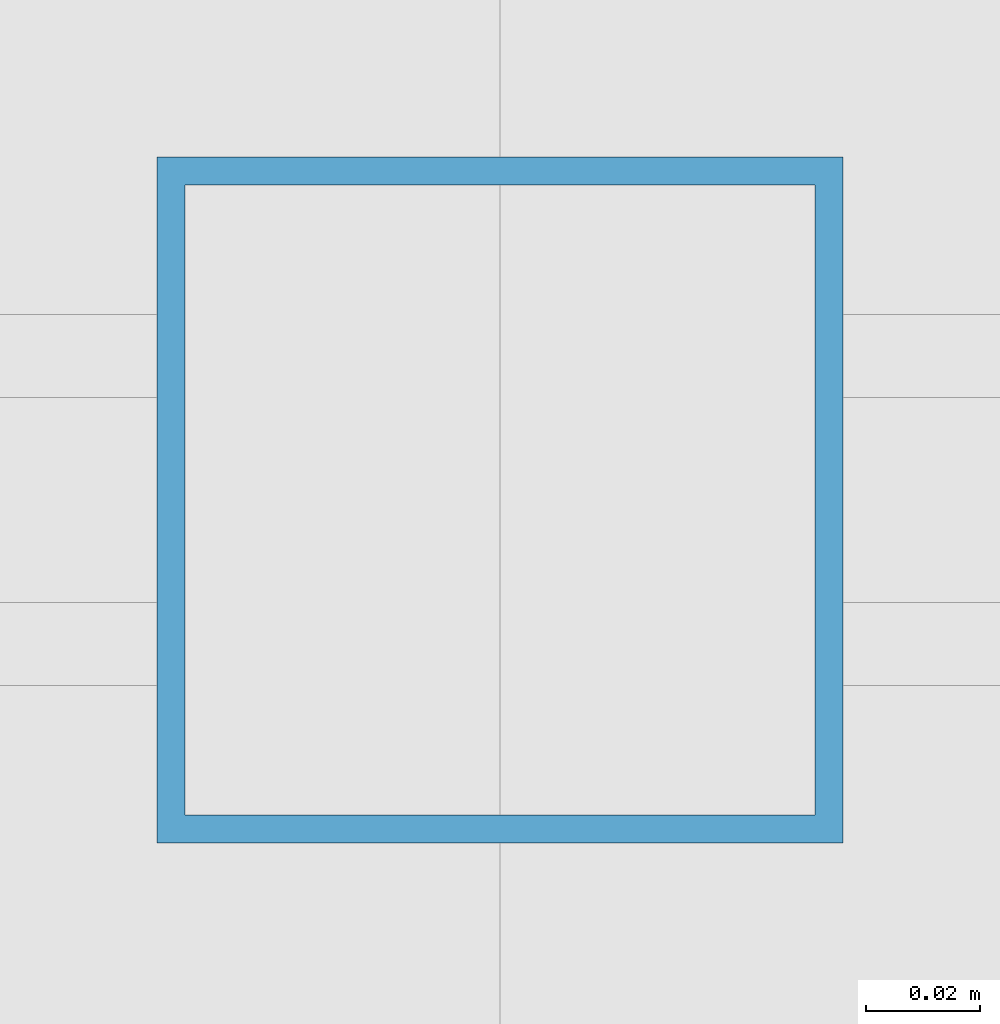
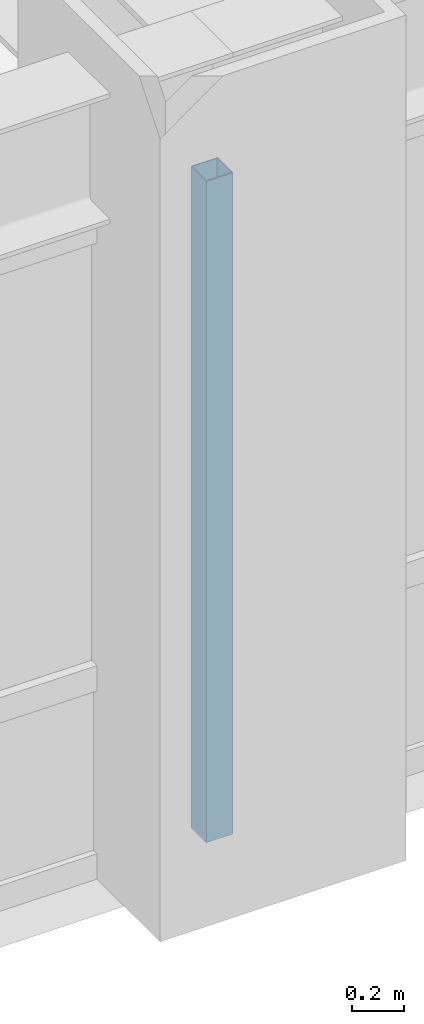
# One storey, part 4 of 24: 1 member, 1 element without a shape of its own.
"""IFC4 building model written with IfcOpenShell, lengths in metres."""

import ifcopenshell
import ifcopenshell.guid

model = None  # the IFC model being written
_history = None  # IfcOwnerHistory: only IFC2X3 demands one
_inside = {}  # id of a spatial element -> (the spatial element, [elements in it])
_under = {}  # id of a project, library or spatial element -> (it, [spatial elements below it])
_declared = {}  # id of a project -> (the project, [libraries it declares])
_typed = {}  # id of a type object -> (the type object, [elements of that type])
_made_of = {}  # id of a material, layer set ... -> (it, [elements and type objects made of it])


def new_model(schema):
    """Start an empty IFC model of exactly this schema.

    Asked for "IFC4X3", IfcOpenShell would pick the latest addendum, in which some entities
    have other attributes; the version numbers below select the first issue.
    IFC2X3 requires an IfcOwnerHistory on every rooted entity: one is made here for all.
    """
    global model, _history
    if schema == "IFC4X3":
        model = ifcopenshell.file(schema_version=(4, 3, 0, 0))
    else:
        model = ifcopenshell.file(schema=schema)
    _inside.clear()
    _under.clear()
    _declared.clear()
    _typed.clear()
    _made_of.clear()
    _history = None
    if model.schema == "IFC2X3":
        org = make("IfcOrganization", Name="unknown")
        user = make(
            "IfcPersonAndOrganization",
            ThePerson=make("IfcPerson", FamilyName="unknown"),
            TheOrganization=org,
        )
        app = make(
            "IfcApplication",
            ApplicationDeveloper=org,
            Version="unknown",
            ApplicationFullName="unknown",
            ApplicationIdentifier="unknown",
        )
        _history = make(
            "IfcOwnerHistory",
            OwningUser=user,
            OwningApplication=app,
            ChangeAction="ADDED",
            CreationDate=0,
        )
    return model


def make(cls, **values):
    """One entity of the class cls with the attributes given. An attribute that is None is left unset."""
    return model.create_entity(
        cls, **{name: value for name, value in values.items() if value is not None}
    )


def rooted(cls, **values):
    """An entity with a GlobalId (a new one), such as an element, a storey or a relation."""
    return make(cls, GlobalId=ifcopenshell.guid.new(), OwnerHistory=_history, **values)


def si_unit(unit_type, name, prefix=None):
    """IfcSIUnit, for example si_unit("LENGTHUNIT", "METRE", prefix="MILLI")."""
    return make("IfcSIUnit", UnitType=unit_type, Prefix=prefix, Name=name)


def assignment(units):
    """IfcUnitAssignment: the units of a project."""
    return None if units is None else make("IfcUnitAssignment", Units=units)


def point(xyz):
    """IfcCartesianPoint."""
    return None if xyz is None else make("IfcCartesianPoint", Coordinates=xyz)


def direction(xyz):
    """IfcDirection."""
    return None if xyz is None else make("IfcDirection", DirectionRatios=xyz)


def frame(location, z_axis=None, x_axis=None):
    """IfcAxis2Placement3D, a coordinate frame: its origin and axes. An axis left out is left unset."""
    return make(
        "IfcAxis2Placement3D",
        Location=point(location),
        Axis=direction(z_axis),
        RefDirection=direction(x_axis),
    )


def frame_2d(location, x_axis=None):
    """IfcAxis2Placement2D, a coordinate frame in the plane: its origin and x axis."""
    return make(
        "IfcAxis2Placement2D", Location=point(location), RefDirection=direction(x_axis)
    )


def origin():
    """The frame at (0, 0, 0) with its axes left unset."""
    return frame((0.0, 0.0, 0.0))


def origin_2d():
    """The frame at (0, 0) in the plane with its x axis left unset."""
    return frame_2d((0.0, 0.0))


def place(relative_to, where):
    """IfcLocalPlacement: puts the frame where relative to a parent placement (None: the world)."""
    return make(
        "IfcLocalPlacement", PlacementRelTo=relative_to, RelativePlacement=where
    )


def context(
    kind, dimensions, precision=None, world=None, true_north=None, identifier=None
):
    """IfcGeometricRepresentationContext, for example the 3D "Model" context."""
    return make(
        "IfcGeometricRepresentationContext",
        ContextIdentifier=identifier,
        ContextType=kind,
        CoordinateSpaceDimension=dimensions,
        Precision=precision,
        WorldCoordinateSystem=world,
        TrueNorth=true_north,
    )


def subcontext(parent, identifier, kind, view, scale=None):
    """IfcGeometricRepresentationSubContext, for example "Body" below "Model"."""
    return make(
        "IfcGeometricRepresentationSubContext",
        ContextIdentifier=identifier,
        ContextType=kind,
        ParentContext=parent,
        TargetScale=scale,
        TargetView=view,
    )


def project(units=None, contexts=None):
    """IfcProject with its units and contexts."""
    return rooted(
        "IfcProject",
        Name="project",
        RepresentationContexts=contexts,
        UnitsInContext=assignment(units),
    )


def spatial(cls, under=None, at=None, **own):
    """A site, building, storey or space (cls), placed at a placement, below another one or the project."""
    s = rooted(cls, ObjectPlacement=at, **own)
    if under is not None:
        _under.setdefault(under.id(), (under, []))[1].append(s)
    return s


def profile(cls, at=None, kind="AREA", **sizes):
    """A parametric profile (cls). Its sizes go by their IFC names, for example OverallWidth=200.0."""
    return make(cls, ProfileType=kind, Position=at, **sizes)


def hollow_rectangle(**sizes):
    """IfcRectangleHollowProfileDef."""
    return profile("IfcRectangleHollowProfileDef", **sizes)


def extrude(swept, where, along, depth):
    """IfcExtrudedAreaSolid: the profile swept, set in the frame where, extruded along a direction by depth."""
    return make(
        "IfcExtrudedAreaSolid",
        SweptArea=swept,
        Position=where,
        ExtrudedDirection=direction(along),
        Depth=depth,
    )


def shape(context_of_items, identifier, shape_type, items):
    """IfcShapeRepresentation: the items that make up one representation, for example the "Body"."""
    return make(
        "IfcShapeRepresentation",
        ContextOfItems=context_of_items,
        RepresentationIdentifier=identifier,
        RepresentationType=shape_type,
        Items=items,
    )


def source(mapping_origin, context_of_items, identifier, shape_type, items):
    """IfcRepresentationMap: a shape defined once, which mapped items show again and again."""
    return make(
        "IfcRepresentationMap",
        MappingOrigin=mapping_origin,
        MappedRepresentation=shape(context_of_items, identifier, shape_type, items),
    )


def transform(
    local_origin,
    x_axis=None,
    y_axis=None,
    z_axis=None,
    scale=None,
    scale2=None,
    scale3=None,
    uniform=True,
):
    """IfcCartesianTransformationOperator3D, or its non-uniform kind. x_axis, y_axis, z_axis: its Axis1, 2, 3."""
    if uniform:
        return make(
            "IfcCartesianTransformationOperator3D",
            Axis1=direction(x_axis),
            Axis2=direction(y_axis),
            LocalOrigin=point(local_origin),
            Scale=scale,
            Axis3=direction(z_axis),
        )
    return make(
        "IfcCartesianTransformationOperator3DnonUniform",
        Axis1=direction(x_axis),
        Axis2=direction(y_axis),
        LocalOrigin=point(local_origin),
        Scale=scale,
        Axis3=direction(z_axis),
        Scale2=scale2,
        Scale3=scale3,
    )


def mapped(mapping_source, mapping_target):
    """IfcMappedItem: shows the shape of a source again, moved by a transform."""
    return make(
        "IfcMappedItem", MappingSource=mapping_source, MappingTarget=mapping_target
    )


def material(Name=None, Category=None):
    """IfcMaterial."""
    return make("IfcMaterial", Name=Name, Category=Category)


def material_profile(
    of_material, cross_section, Name=None, Category=None, Priority=None
):
    """IfcMaterialProfile: a cross section and its material."""
    return make(
        "IfcMaterialProfile",
        Name=Name,
        Material=of_material,
        Profile=cross_section,
        Priority=Priority,
        Category=Category,
    )


def profile_set(profiles, Name=None, composite=None):
    """IfcMaterialProfileSet."""
    return make(
        "IfcMaterialProfileSet",
        Name=Name,
        MaterialProfiles=profiles,
        CompositeProfile=composite,
    )


def made_of(thing, what):
    """Note that an element or type object is made of a material, layer set ...; save() writes the relation."""
    if what is not None:
        _made_of.setdefault(what.id(), (what, []))[1].append(thing)
    return thing


def type_object(cls, material=None, **own):
    """A type object (cls), such as IfcWallType, which elements share."""
    return made_of(rooted(cls, **own), material)


def element(
    cls,
    number,
    at=None,
    inside=None,
    cuts=None,
    type_object=None,
    material=None,
    context=None,
    identifier="Body",
    shape_type=None,
    held_by="IfcProductDefinitionShape",
    body=None,
    shapes=None,
    **own,
):
    """One element of the class cls, such as IfcWall. Its Tag is "e" and its number.

    at: its placement. inside: the storey or other place that contains it. cuts: it is an
    opening in that element (IfcRelVoidsElement). A single representation is given by context,
    identifier, shape_type and body (its items); several are given by shapes. held_by: the class
    of the entity that holds the representations. save() writes the other relations.
    """
    e = rooted(cls, Tag="e%d" % number, ObjectPlacement=at, **own)
    if body is not None:
        shapes = [shape(context, identifier, shape_type, body)]
    if shapes is not None:
        e.Representation = make(held_by, Representations=shapes)
    if inside is not None:
        _inside.setdefault(inside.id(), (inside, []))[1].append(e)
    if cuts is not None:
        rooted(
            "IfcRelVoidsElement", RelatingBuildingElement=cuts, RelatedOpeningElement=e
        )
    if type_object is not None:
        _typed.setdefault(type_object.id(), (type_object, []))[1].append(e)
    return made_of(e, material)


def aggregate(whole, parts):
    """IfcRelAggregates: a whole, such as a stair, and the parts it consists of."""
    return rooted("IfcRelAggregates", RelatingObject=whole, RelatedObjects=parts)


def save(model, path):
    """Write the relations noted so far, then the file.

    IfcRelAggregates (storeys below a building ...), IfcRelContainedInSpatialStructure (elements
    in a storey), IfcRelDefinesByType, IfcRelAssociatesMaterial and IfcRelDeclares: one each for
    every whole, place, type object, material and project.
    """
    for whole, parts in _under.values():
        aggregate(whole, parts)
    for where, things in _inside.values():
        rooted(
            "IfcRelContainedInSpatialStructure",
            RelatedElements=things,
            RelatingStructure=where,
        )
    for kind, things in _typed.values():
        rooted("IfcRelDefinesByType", RelatedObjects=things, RelatingType=kind)
    for what, things in _made_of.values():
        rooted("IfcRelAssociatesMaterial", RelatedObjects=things, RelatingMaterial=what)
    for by, libraries in _declared.values():
        rooted("IfcRelDeclares", RelatingContext=by, RelatedDefinitions=libraries)
    model.write(path)


model = new_model("IFC4")

# Units and contexts
model_context = context("Model", 3, precision=1e-05, world=origin(), true_north=direction((0.0, 1.0)))
body_context = subcontext(model_context, "Body", "Model", "MODEL_VIEW")
ifc_project = project(units=[si_unit("LENGTHUNIT", "METRE"), si_unit("AREAUNIT", "SQUARE_METRE"), si_unit("VOLUMEUNIT", "CUBIC_METRE"), si_unit("PLANEANGLEUNIT", "RADIAN"), si_unit("MASSUNIT", "GRAM", prefix="KILO")], contexts=[model_context])

# Site, building, storey
site_placement = place(None, origin())
site = spatial("IfcSite", under=ifc_project, at=site_placement, CompositionType="ELEMENT")
building_placement = place(site_placement, origin())
building = spatial("IfcBuilding", under=site, at=building_placement, Name="Khorayat Bourse Tower", CompositionType="ELEMENT")
storey_placement = place(building_placement, frame((0.0, 0.0, 163.10009765625)))
storey = spatial("IfcBuildingStorey", under=building, at=storey_placement, Name="L37", CompositionType="ELEMENT", Elevation=163.10009765625)

# Curtain wall, member
ifc_material = material(Name="Aluminium EN AW-6063 T6", Category="aluminium")
curtain_wall_type = type_object("IfcCurtainWallType", Name="CW-SYS-03", PredefinedType="NOTDEFINED", material=ifc_material)
curtain_wall_placement = place(storey_placement, origin())
curtain_wall = element("IfcCurtainWall", 1, at=curtain_wall_placement, inside=storey, type_object=curtain_wall_type, Name="L37 Curtain Wall CW-L37-S1", PredefinedType="NOTDEFINED")
ifc_material_profile = material_profile(ifc_material, hollow_rectangle(XDim=0.1201171875, YDim=0.1201171875, WallThickness=0.0048828125, at=origin_2d()), Name="ALU 120x120x5")
ifc_profile_set = profile_set([ifc_material_profile], Name="Aluminium EN AW-6063 T6")
member_type = type_object("IfcMemberType", Name="CWM-VERT-120", PredefinedType="MULLION", material=ifc_profile_set)
shared_shape = source(origin(), body_context, "Body", "SweptSolid", [
    extrude(hollow_rectangle(XDim=0.1201171875, YDim=0.1201171875, WallThickness=0.0048828125, at=origin_2d()), origin(), (0.0, 0.0, 1.0), 3.1298828125),
])
member_placement = place(storey_placement, frame((0.0, -30.0, 0.0), z_axis=(0.0, 0.0, 1.0), x_axis=(0.0, 1.0, 0.0)))
member = element("IfcMember", 2, at=member_placement, type_object=member_type, Name="CW-L37-S1 Vertical Mullion 2", PredefinedType="MULLION", context=body_context, shape_type="MappedRepresentation", body=[
    mapped(shared_shape, transform((0.0, 0.0, 0.0), scale=1.0)),
])
aggregate(curtain_wall, [member])

save(model, "model.ifc")
